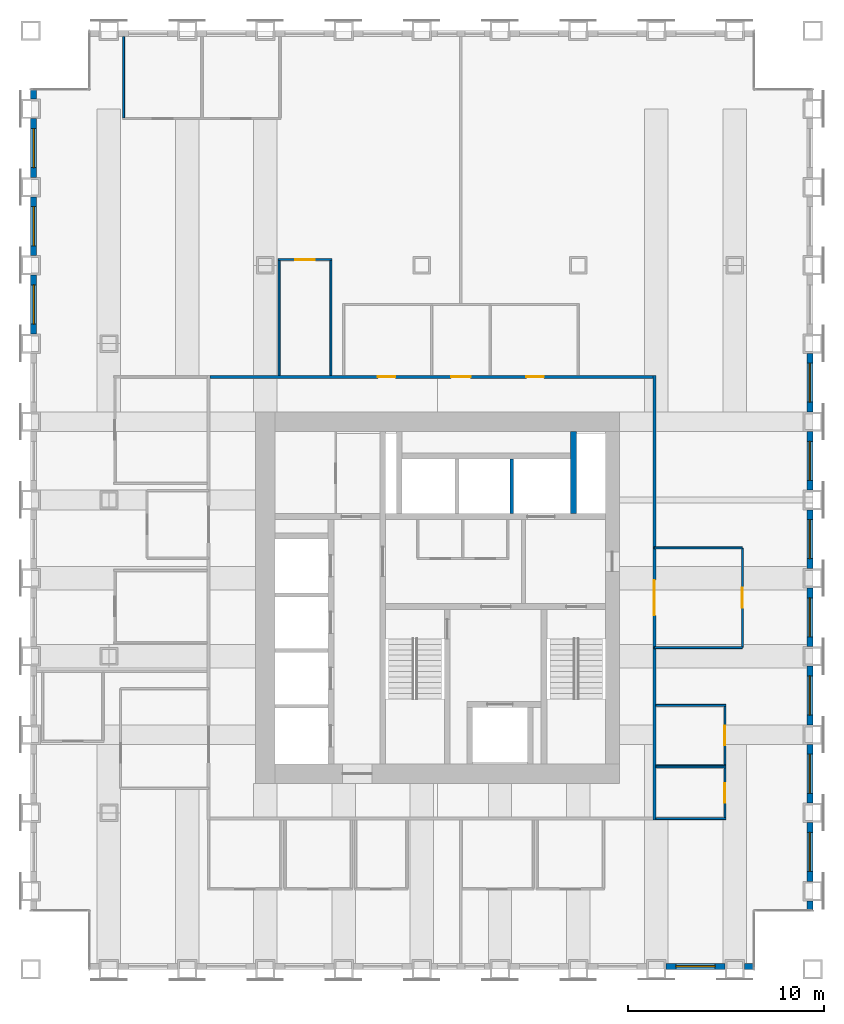
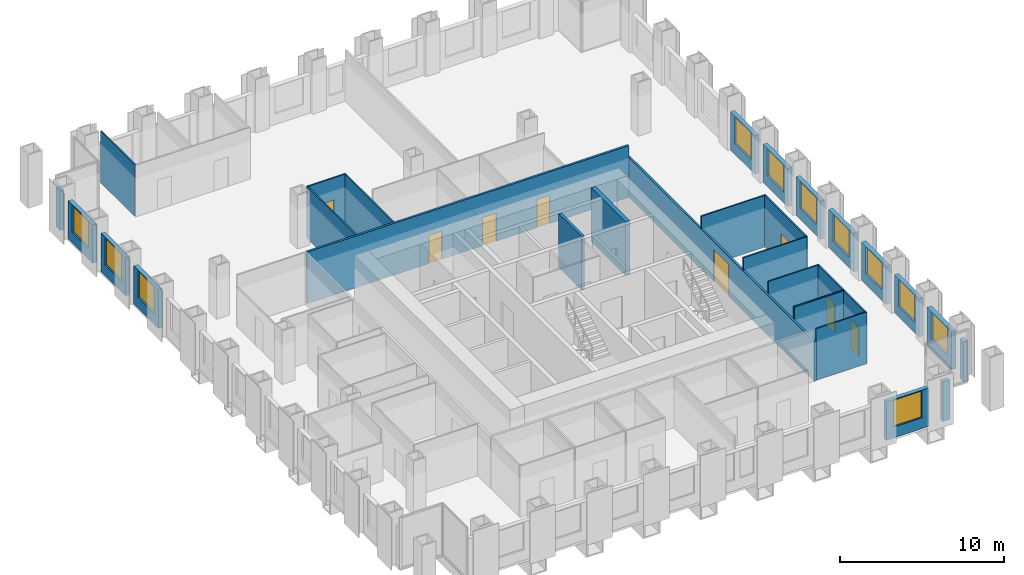
# One storey, part 10 of 13: 31 walls, 11 windows, 8 doors, 19 openings.
"""IFC4 building model written with IfcOpenShell, lengths in metres."""

from ifc_helpers import new_model, si_unit, direction, frame, frame_2d, origin, place, context, subcontext, project, spatial, rectangle, extrude, material, layer, layer_set, type_object, element, fill, save


model = new_model("IFC4")

# Units and contexts
model_context = context("Model", 3, precision=1e-05, world=origin(), true_north=direction((0.0, 1.0)))
body_context = subcontext(model_context, "Body", "Model", "MODEL_VIEW")
ifc_project = project(units=[si_unit("LENGTHUNIT", "METRE"), si_unit("AREAUNIT", "SQUARE_METRE"), si_unit("VOLUMEUNIT", "CUBIC_METRE"), si_unit("PLANEANGLEUNIT", "RADIAN"), si_unit("MASSUNIT", "GRAM", prefix="KILO")], contexts=[model_context])

# Site, building, storey
site_placement = place(None, origin())
site = spatial("IfcSite", under=ifc_project, at=site_placement, CompositionType="ELEMENT")
building_placement = place(site_placement, origin())
building = spatial("IfcBuilding", under=site, at=building_placement, Name="Rimbunsela Tower", CompositionType="ELEMENT")
storey_placement = place(building_placement, frame((0.0, 0.0, 175.800048828125)))
storey = spatial("IfcBuildingStorey", under=building, at=storey_placement, Name="L42", CompositionType="ELEMENT", Elevation=175.800048828125)

# Walls
ifc_material_1 = material(Name="Concrete fc' 80 MPa", Category="concrete")
ifc_layer_1 = layer(ifc_material_1, 0.300048828125)
ifc_layer_set_1 = layer_set([ifc_layer_1], Name="Core internal wall 300")
wall_type_1 = type_object("IfcWallType", Name="Core internal wall 300", PredefinedType="SHEAR", material=ifc_layer_set_1)
wall_1_placement = place(storey_placement, frame((33.75, 31.300048828125, -0.150146484375), z_axis=(0.0, 0.0, 1.0), x_axis=(0.0, 1.0, 0.0)))
element("IfcWall", 1, at=wall_1_placement, inside=storey, type_object=wall_type_1, Name="Riser wall", PredefinedType="SHEAR", context=body_context, shape_type="SweptSolid", body=[
    extrude(rectangle(XDim=4.199951171875, YDim=0.300048828125, at=frame_2d((2.10009765625, 0.0))), origin(), (0.0, 0.0, 1.0), 4.0),
])
ifc_material_2 = material(Name="Concrete blockwork", Category="masonry")
ifc_layer_2 = layer(ifc_material_2, 0.199951171875)
ifc_layer_set_2 = layer_set([ifc_layer_2], Name="Lift shaft wall 200")
wall_type_2 = type_object("IfcWallType", Name="Lift shaft wall 200", PredefinedType="SOLIDWALL", material=ifc_layer_set_2)
wall_2_placement = place(storey_placement, frame((30.60009765625, 31.300048828125, -0.150146484375), z_axis=(0.0, 0.0, 1.0), x_axis=(0.0, 1.0, 0.0)))
element("IfcWall", 2, at=wall_2_placement, inside=storey, type_object=wall_type_2, Name="Lift shaft separation", PredefinedType="SOLIDWALL", context=body_context, shape_type="SweptSolid", body=[
    extrude(rectangle(XDim=2.800048828125, YDim=0.199951171875, at=frame_2d((1.39990234375, 0.0))), origin(), (0.0, 0.0, 1.0), 4.0),
])
ifc_material_3 = material(Name="Gypsum board on steel studs", Category="steel")
ifc_layer_3 = layer(ifc_material_3, 0.10009765625)
ifc_layer_set_3 = layer_set([ifc_layer_3], Name="Office partition 100")
wall_type_3 = type_object("IfcWallType", Name="Office partition 100", PredefinedType="PARTITIONING", material=ifc_layer_set_3)
for number, where, z_axis, x_axis, name in (
    (3, (37.97509765625, 15.699951171875, 0.0), (0.0, 0.0, 1.0), (1.0, 0.0, 0.0), "Office partition"),
    (4, (37.97509765625, 18.35009765625, 0.0), (0.0, 0.0, 1.0), (1.0, 0.0, 0.0), "Office partition"),
    (5, (37.97509765625, 18.39990234375, 0.0), (0.0, 0.0, 1.0), (1.0, 0.0, 0.0), "Office partition"),
    (6, (37.97509765625, 21.5, 0.0), (0.0, 0.0, 1.0), (1.0, 0.0, 0.0), "Office partition"),
):
    element("IfcWall", number, at=place(storey_placement, frame(where, z_axis=z_axis, x_axis=x_axis)), inside=storey, type_object=wall_type_3, Name=name, PredefinedType="PARTITIONING", context=body_context, shape_type="SweptSolid", body=[
        extrude(rectangle(XDim=3.574951171875, YDim=0.10009765625, at=frame_2d((1.78759765625, 0.0))), origin(), (0.0, 0.0, 1.0), 3.849853515625),
    ])

# Wall, opening, door
wall_3_placement = place(storey_placement, frame((18.64990234375, 44.300048828125, 0.0), z_axis=(0.0, 0.0, 1.0), x_axis=(1.0, 0.0, 0.0)))
wall_3 = element("IfcWall", 7, at=wall_3_placement, inside=storey, type_object=wall_type_3, Name="Office partition", PredefinedType="PARTITIONING", context=body_context, shape_type="SweptSolid", body=[
    extrude(rectangle(XDim=2.75, YDim=0.10009765625, at=frame_2d((1.375, 0.0))), origin(), (0.0, 0.0, 1.0), 3.849853515625),
])
opening_1_placement = place(wall_3_placement, frame((0.875, 0.0, 0.0)))
opening_1 = element("IfcOpeningElement", 8, at=opening_1_placement, cuts=wall_3, Name="Opening D16", PredefinedType="OPENING", context=body_context, shape_type="SweptSolid", body=[
    extrude(rectangle(XDim=1.0, YDim=2.199951171875, at=frame_2d((0.5, 1.10009765625))), frame((0.0, 0.06005859375, 0.0), z_axis=(0.0, -1.0, 0.0), x_axis=(1.0, 0.0, 0.0)), (0.0, 0.0, 1.0), 0.1201171875),
])
ifc_material_4 = material(Name="Timber door", Category="wood")
door_type_1 = type_object("IfcDoorType", Name="Office door 1000", OperationType="SINGLE_SWING_LEFT", PredefinedType="DOOR", material=ifc_material_4)
door_1_placement = place(opening_1_placement, origin())
door_1 = element("IfcDoor", 9, at=door_1_placement, inside=storey, type_object=door_type_1, Name="Office door", OperationType="SINGLE_SWING_LEFT", OverallHeight=2.199951171875, OverallWidth=1.0, PredefinedType="DOOR", context=body_context, shape_type="SweptSolid", body=[
    extrude(rectangle(XDim=1.0, YDim=2.199951171875, at=frame_2d((0.5, 1.10009765625))), frame((0.0, 0.02490234375, 0.0), z_axis=(0.0, -1.0, 0.0), x_axis=(1.0, 0.0, 0.0)), (0.0, 0.0, 1.0), 0.050048828125),
])
fill(opening_1, door_1)

# Walls
wall_4_placement = place(storey_placement, frame((10.75, 51.550048828125, 0.0), z_axis=(0.0, 0.0, 1.0), x_axis=(0.0, 1.0, 0.0)))
element("IfcWall", 10, at=wall_4_placement, inside=storey, type_object=wall_type_3, Name="Office partition", PredefinedType="PARTITIONING", context=body_context, shape_type="SweptSolid", body=[
    extrude(rectangle(XDim=4.14990234375, YDim=0.10009765625, at=frame_2d((2.074951171875, 0.0))), origin(), (0.0, 0.0, 1.0), 3.849853515625),
])
for number, where, z_axis, x_axis, name in (
    (11, (18.699951171875, 38.375, 0.0), (0.0, 0.0, 1.0), (0.0, 1.0, 0.0), "Office partition"),
    (12, (21.35009765625, 38.375, 0.0), (0.0, 0.0, 1.0), (0.0, 1.0, 0.0), "Office partition"),
):
    element("IfcWall", number, at=place(storey_placement, frame(where, z_axis=z_axis, x_axis=x_axis)), inside=storey, type_object=wall_type_3, Name=name, PredefinedType="PARTITIONING", context=body_context, shape_type="SweptSolid", body=[
        extrude(rectangle(XDim=5.875, YDim=0.10009765625, at=frame_2d((2.9375, 0.0))), origin(), (0.0, 0.0, 1.0), 3.849853515625),
    ])

# Wall, opening, door
wall_5_placement = place(storey_placement, frame((41.5, 15.75, 0.0), z_axis=(0.0, 0.0, 1.0), x_axis=(0.0, 1.0, 0.0)))
wall_5 = element("IfcWall", 13, at=wall_5_placement, inside=storey, type_object=wall_type_3, Name="Office partition", PredefinedType="PARTITIONING", context=body_context, shape_type="SweptSolid", body=[
    extrude(rectangle(XDim=2.550048828125, YDim=0.10009765625, at=frame_2d((1.27490234375, 0.0))), origin(), (0.0, 0.0, 1.0), 3.849853515625),
])
opening_2_placement = place(wall_5_placement, frame((0.77490234375, 0.0, 0.0)))
opening_2 = element("IfcOpeningElement", 14, at=opening_2_placement, cuts=wall_5, Name="Opening D16", PredefinedType="OPENING", context=body_context, shape_type="SweptSolid", body=[
    extrude(rectangle(XDim=1.0, YDim=2.199951171875, at=frame_2d((0.5, 1.10009765625))), frame((0.0, 0.06005859375, 0.0), z_axis=(0.0, -1.0, 0.0), x_axis=(1.0, 0.0, 0.0)), (0.0, 0.0, 1.0), 0.1201171875),
])
door_2_placement = place(opening_2_placement, origin())
door_2 = element("IfcDoor", 15, at=door_2_placement, inside=storey, type_object=door_type_1, Name="Office door", OperationType="SINGLE_SWING_LEFT", OverallHeight=2.199951171875, OverallWidth=1.0, PredefinedType="DOOR", context=body_context, shape_type="SweptSolid", body=[
    extrude(rectangle(XDim=1.0, YDim=2.199951171875, at=frame_2d((0.5, 1.10009765625))), frame((0.0, 0.02490234375, 0.0), z_axis=(0.0, -1.0, 0.0), x_axis=(1.0, 0.0, 0.0)), (0.0, 0.0, 1.0), 0.050048828125),
])
fill(opening_2, door_2)

wall_6_placement = place(storey_placement, frame((41.5, 18.449951171875, 0.0), z_axis=(0.0, 0.0, 1.0), x_axis=(0.0, 1.0, 0.0)))
wall_6 = element("IfcWall", 16, at=wall_6_placement, inside=storey, type_object=wall_type_3, Name="Office partition", PredefinedType="PARTITIONING", context=body_context, shape_type="SweptSolid", body=[
    extrude(rectangle(XDim=3.0, YDim=0.10009765625, at=frame_2d((1.5, 0.0))), origin(), (0.0, 0.0, 1.0), 3.849853515625),
])
opening_3_placement = place(wall_6_placement, frame((1.0, 0.0, 0.0)))
opening_3 = element("IfcOpeningElement", 17, at=opening_3_placement, cuts=wall_6, Name="Opening D16", PredefinedType="OPENING", context=body_context, shape_type="SweptSolid", body=[
    extrude(rectangle(XDim=1.0, YDim=2.199951171875, at=frame_2d((0.5, 1.10009765625))), frame((0.0, 0.06005859375, 0.0), z_axis=(0.0, -1.0, 0.0), x_axis=(1.0, 0.0, 0.0)), (0.0, 0.0, 1.0), 0.1201171875),
])
door_3_placement = place(opening_3_placement, origin())
door_3 = element("IfcDoor", 18, at=door_3_placement, inside=storey, type_object=door_type_1, Name="Office door", OperationType="SINGLE_SWING_LEFT", OverallHeight=2.199951171875, OverallWidth=1.0, PredefinedType="DOOR", context=body_context, shape_type="SweptSolid", body=[
    extrude(rectangle(XDim=1.0, YDim=2.199951171875, at=frame_2d((0.5, 1.10009765625))), frame((0.0, 0.02490234375, 0.0), z_axis=(0.0, -1.0, 0.0), x_axis=(1.0, 0.0, 0.0)), (0.0, 0.0, 1.0), 0.050048828125),
])
fill(opening_3, door_3)

# Wall
wall_7_placement = place(storey_placement, frame((37.89990234375, 24.449951171875, 0.0), z_axis=(0.0, 0.0, 1.0), x_axis=(1.0, 0.0, 0.0)))
element("IfcWall", 19, at=wall_7_placement, inside=storey, type_object=wall_type_3, Name="Office partition", PredefinedType="PARTITIONING", context=body_context, shape_type="SweptSolid", body=[
    extrude(rectangle(XDim=4.5, YDim=0.10009765625, at=frame_2d((2.25, 0.0))), origin(), (0.0, 0.0, 1.0), 3.849853515625),
])

# Wall, opening, door
wall_8_placement = place(storey_placement, frame((42.39990234375, 24.449951171875, 0.0), z_axis=(0.0, 0.0, 1.0), x_axis=(0.0, 1.0, 0.0)))
wall_8 = element("IfcWall", 20, at=wall_8_placement, inside=storey, type_object=wall_type_3, Name="Office partition", PredefinedType="PARTITIONING", context=body_context, shape_type="SweptSolid", body=[
    extrude(rectangle(XDim=5.10009765625, YDim=0.10009765625, at=frame_2d((2.550048828125, 0.0))), origin(), (0.0, 0.0, 1.0), 3.849853515625),
])
opening_4_placement = place(wall_8_placement, frame((2.050048828125, 0.0, 0.0)))
opening_4 = element("IfcOpeningElement", 21, at=opening_4_placement, cuts=wall_8, Name="Opening D17", PredefinedType="OPENING", context=body_context, shape_type="SweptSolid", body=[
    extrude(rectangle(XDim=1.0, YDim=2.199951171875, at=frame_2d((0.5, 1.10009765625))), frame((0.0, 0.06005859375, 0.0), z_axis=(0.0, -1.0, 0.0), x_axis=(1.0, 0.0, 0.0)), (0.0, 0.0, 1.0), 0.1201171875),
])
ifc_material_5 = material(Name="Glazed aluminium door", Category="aluminium")
door_type_2 = type_object("IfcDoorType", Name="Meeting room door 1000 glazed", OperationType="SINGLE_SWING_RIGHT", PredefinedType="DOOR", material=ifc_material_5)
door_4_placement = place(opening_4_placement, origin())
door_4 = element("IfcDoor", 22, at=door_4_placement, inside=storey, type_object=door_type_2, Name="Reception door", OperationType="SINGLE_SWING_RIGHT", OverallHeight=2.199951171875, OverallWidth=1.0, PredefinedType="DOOR", context=body_context, shape_type="SweptSolid", body=[
    extrude(rectangle(XDim=1.0, YDim=2.199951171875, at=frame_2d((0.5, 1.10009765625))), frame((0.0, 0.02490234375, 0.0), z_axis=(0.0, -1.0, 0.0), x_axis=(1.0, 0.0, 0.0)), (0.0, 0.0, 1.0), 0.050048828125),
])
fill(opening_4, door_4)

# Wall
wall_9_placement = place(storey_placement, frame((42.39990234375, 29.550048828125, 0.0), z_axis=(0.0, 0.0, 1.0), x_axis=(-1.0, 0.0, 0.0)))
element("IfcWall", 23, at=wall_9_placement, inside=storey, type_object=wall_type_3, Name="Office partition", PredefinedType="PARTITIONING", context=body_context, shape_type="SweptSolid", body=[
    extrude(rectangle(XDim=4.5, YDim=0.10009765625, at=frame_2d((2.25, 0.0))), origin(), (0.0, 0.0, 1.0), 3.849853515625),
])

# Wall, opening, window
ifc_material_6 = material(Name="Precast concrete fc' 35 MPa", Category="concrete")
ifc_layer_4 = layer(ifc_material_6, 0.300048828125)
ifc_layer_set_4 = layer_set([ifc_layer_4], Name="Precast concrete fc' 35 MPa")
wall_type_4 = type_object("IfcWallType", Name="Precast facade panel 300", PredefinedType="ELEMENTEDWALL", material=ifc_layer_set_4)
wall_10_placement = place(storey_placement, frame((38.5, 8.14990234375, 0.0), z_axis=(0.0, 0.0, 1.0), x_axis=(1.0, 0.0, 0.0)))
wall_10 = element("IfcWall", 24, at=wall_10_placement, inside=storey, type_object=wall_type_4, Name="Facade panel S L42", PredefinedType="ELEMENTEDWALL", context=body_context, shape_type="SweptSolid", body=[
    extrude(rectangle(XDim=3.0, YDim=0.300048828125, at=frame_2d((1.5, 0.0))), origin(), (0.0, 0.0, 1.0), 2.849853515625),
])
opening_5_placement = place(wall_10_placement, frame((0.5, 0.0, 0.800048828125)))
opening_5 = element("IfcOpeningElement", 25, at=opening_5_placement, cuts=wall_10, Name="Opening W1", PredefinedType="OPENING", context=body_context, shape_type="SweptSolid", body=[
    extrude(rectangle(XDim=2.0, YDim=2.0, at=frame_2d((1.0, 1.0))), frame((0.0, 0.159912109375, 0.0), z_axis=(0.0, -1.0, 0.0), x_axis=(1.0, 0.0, 0.0)), (0.0, 0.0, 1.0), 0.320068359375),
])
ifc_material_7 = material(Name="Clear glass in aluminium frame", Category="aluminium")
window_type = type_object("IfcWindowType", Name="Window W1 2000x2000", PartitioningType="DOUBLE_PANEL_VERTICAL", PredefinedType="WINDOW", material=ifc_material_7)
window_1_placement = place(opening_5_placement, origin())
window_1 = element("IfcWindow", 26, at=window_1_placement, inside=storey, type_object=window_type, Name="Window L42", OverallHeight=2.0, OverallWidth=2.0, PartitioningType="SINGLE_PANEL", PredefinedType="WINDOW", context=body_context, shape_type="SweptSolid", body=[
    extrude(rectangle(XDim=2.0, YDim=2.0, at=frame_2d((1.0, 1.0))), frame((0.0, 0.030029296875, 0.0), z_axis=(0.0, -1.0, 0.0), x_axis=(1.0, 0.0, 0.0)), (0.0, 0.0, 1.0), 0.06005859375),
])
fill(opening_5, window_1)

# Walls
for number, where, z_axis, x_axis, name in (
    (27, (42.5, 8.14990234375, 0.0), (0.0, 0.0, 1.0), (1.0, 0.0, 0.0), "Facade panel S L42"),
    (28, (45.85009765625, 11.030029296875, 0.0), (0.0, 0.0, 1.0), (0.0, 1.0, 0.0), "Facade panel E L42"),
):
    element("IfcWall", number, at=place(storey_placement, frame(where, z_axis=z_axis, x_axis=x_axis)), inside=storey, type_object=wall_type_4, Name=name, PredefinedType="ELEMENTEDWALL", context=body_context, shape_type="SweptSolid", body=[
        extrude(rectangle(XDim=0.469970703125, YDim=0.300048828125, at=frame_2d((0.23486328125, 0.0))), origin(), (0.0, 0.0, 1.0), 2.949951171875),
    ])

# Wall, opening, window
wall_11_placement = place(storey_placement, frame((45.85009765625, 12.5, 0.0), z_axis=(0.0, 0.0, 1.0), x_axis=(0.0, 1.0, 0.0)))
wall_11 = element("IfcWall", 29, at=wall_11_placement, inside=storey, type_object=wall_type_4, Name="Facade panel E L42", PredefinedType="ELEMENTEDWALL", context=body_context, shape_type="SweptSolid", body=[
    extrude(rectangle(XDim=3.0, YDim=0.300048828125, at=frame_2d((1.5, 0.0))), origin(), (0.0, 0.0, 1.0), 2.849853515625),
])
opening_6_placement = place(wall_11_placement, frame((0.5, 0.0, 0.800048828125)))
opening_6 = element("IfcOpeningElement", 30, at=opening_6_placement, cuts=wall_11, Name="Opening W1", PredefinedType="OPENING", context=body_context, shape_type="SweptSolid", body=[
    extrude(rectangle(XDim=2.0, YDim=2.0, at=frame_2d((1.0, 1.0))), frame((0.0, 0.159912109375, 0.0), z_axis=(0.0, -1.0, 0.0), x_axis=(1.0, 0.0, 0.0)), (0.0, 0.0, 1.0), 0.320068359375),
])
window_2_placement = place(opening_6_placement, origin())
window_2 = element("IfcWindow", 31, at=window_2_placement, inside=storey, type_object=window_type, Name="Window L42", OverallHeight=2.0, OverallWidth=2.0, PartitioningType="SINGLE_PANEL", PredefinedType="WINDOW", context=body_context, shape_type="SweptSolid", body=[
    extrude(rectangle(XDim=2.0, YDim=2.0, at=frame_2d((1.0, 1.0))), frame((0.0, 0.030029296875, 0.0), z_axis=(0.0, -1.0, 0.0), x_axis=(1.0, 0.0, 0.0)), (0.0, 0.0, 1.0), 0.06005859375),
])
fill(opening_6, window_2)

wall_12_placement = place(storey_placement, frame((45.85009765625, 16.5, 0.0), z_axis=(0.0, 0.0, 1.0), x_axis=(0.0, 1.0, 0.0)))
wall_12 = element("IfcWall", 32, at=wall_12_placement, inside=storey, type_object=wall_type_4, Name="Facade panel E L42", PredefinedType="ELEMENTEDWALL", context=body_context, shape_type="SweptSolid", body=[
    extrude(rectangle(XDim=3.0, YDim=0.300048828125, at=frame_2d((1.5, 0.0))), origin(), (0.0, 0.0, 1.0), 2.849853515625),
])
opening_7_placement = place(wall_12_placement, frame((0.5, 0.0, 0.800048828125)))
opening_7 = element("IfcOpeningElement", 33, at=opening_7_placement, cuts=wall_12, Name="Opening W1", PredefinedType="OPENING", context=body_context, shape_type="SweptSolid", body=[
    extrude(rectangle(XDim=2.0, YDim=2.0, at=frame_2d((1.0, 1.0))), frame((0.0, 0.159912109375, 0.0), z_axis=(0.0, -1.0, 0.0), x_axis=(1.0, 0.0, 0.0)), (0.0, 0.0, 1.0), 0.320068359375),
])
window_3_placement = place(opening_7_placement, origin())
window_3 = element("IfcWindow", 34, at=window_3_placement, inside=storey, type_object=window_type, Name="Window L42", OverallHeight=2.0, OverallWidth=2.0, PartitioningType="SINGLE_PANEL", PredefinedType="WINDOW", context=body_context, shape_type="SweptSolid", body=[
    extrude(rectangle(XDim=2.0, YDim=2.0, at=frame_2d((1.0, 1.0))), frame((0.0, 0.030029296875, 0.0), z_axis=(0.0, -1.0, 0.0), x_axis=(1.0, 0.0, 0.0)), (0.0, 0.0, 1.0), 0.06005859375),
])
fill(opening_7, window_3)

wall_13_placement = place(storey_placement, frame((45.85009765625, 20.5, 0.0), z_axis=(0.0, 0.0, 1.0), x_axis=(0.0, 1.0, 0.0)))
wall_13 = element("IfcWall", 35, at=wall_13_placement, inside=storey, type_object=wall_type_4, Name="Facade panel E L42", PredefinedType="ELEMENTEDWALL", context=body_context, shape_type="SweptSolid", body=[
    extrude(rectangle(XDim=3.0, YDim=0.300048828125, at=frame_2d((1.5, 0.0))), origin(), (0.0, 0.0, 1.0), 2.849853515625),
])
opening_8_placement = place(wall_13_placement, frame((0.5, 0.0, 0.800048828125)))
opening_8 = element("IfcOpeningElement", 36, at=opening_8_placement, cuts=wall_13, Name="Opening W1", PredefinedType="OPENING", context=body_context, shape_type="SweptSolid", body=[
    extrude(rectangle(XDim=2.0, YDim=2.0, at=frame_2d((1.0, 1.0))), frame((0.0, 0.159912109375, 0.0), z_axis=(0.0, -1.0, 0.0), x_axis=(1.0, 0.0, 0.0)), (0.0, 0.0, 1.0), 0.320068359375),
])
window_4_placement = place(opening_8_placement, origin())
window_4 = element("IfcWindow", 37, at=window_4_placement, inside=storey, type_object=window_type, Name="Window L42", OverallHeight=2.0, OverallWidth=2.0, PartitioningType="SINGLE_PANEL", PredefinedType="WINDOW", context=body_context, shape_type="SweptSolid", body=[
    extrude(rectangle(XDim=2.0, YDim=2.0, at=frame_2d((1.0, 1.0))), frame((0.0, 0.030029296875, 0.0), z_axis=(0.0, -1.0, 0.0), x_axis=(1.0, 0.0, 0.0)), (0.0, 0.0, 1.0), 0.06005859375),
])
fill(opening_8, window_4)

wall_14_placement = place(storey_placement, frame((45.85009765625, 24.5, 0.0), z_axis=(0.0, 0.0, 1.0), x_axis=(0.0, 1.0, 0.0)))
wall_14 = element("IfcWall", 38, at=wall_14_placement, inside=storey, type_object=wall_type_4, Name="Facade panel E L42", PredefinedType="ELEMENTEDWALL", context=body_context, shape_type="SweptSolid", body=[
    extrude(rectangle(XDim=3.0, YDim=0.300048828125, at=frame_2d((1.5, 0.0))), origin(), (0.0, 0.0, 1.0), 2.849853515625),
])
opening_9_placement = place(wall_14_placement, frame((0.5, 0.0, 0.800048828125)))
opening_9 = element("IfcOpeningElement", 39, at=opening_9_placement, cuts=wall_14, Name="Opening W1", PredefinedType="OPENING", context=body_context, shape_type="SweptSolid", body=[
    extrude(rectangle(XDim=2.0, YDim=2.0, at=frame_2d((1.0, 1.0))), frame((0.0, 0.159912109375, 0.0), z_axis=(0.0, -1.0, 0.0), x_axis=(1.0, 0.0, 0.0)), (0.0, 0.0, 1.0), 0.320068359375),
])
window_5_placement = place(opening_9_placement, origin())
window_5 = element("IfcWindow", 40, at=window_5_placement, inside=storey, type_object=window_type, Name="Window L42", OverallHeight=2.0, OverallWidth=2.0, PartitioningType="SINGLE_PANEL", PredefinedType="WINDOW", context=body_context, shape_type="SweptSolid", body=[
    extrude(rectangle(XDim=2.0, YDim=2.0, at=frame_2d((1.0, 1.0))), frame((0.0, 0.030029296875, 0.0), z_axis=(0.0, -1.0, 0.0), x_axis=(1.0, 0.0, 0.0)), (0.0, 0.0, 1.0), 0.06005859375),
])
fill(opening_9, window_5)

wall_15_placement = place(storey_placement, frame((45.85009765625, 28.5, 0.0), z_axis=(0.0, 0.0, 1.0), x_axis=(0.0, 1.0, 0.0)))
wall_15 = element("IfcWall", 41, at=wall_15_placement, inside=storey, type_object=wall_type_4, Name="Facade panel E L42", PredefinedType="ELEMENTEDWALL", context=body_context, shape_type="SweptSolid", body=[
    extrude(rectangle(XDim=3.0, YDim=0.300048828125, at=frame_2d((1.5, 0.0))), origin(), (0.0, 0.0, 1.0), 2.849853515625),
])
opening_10_placement = place(wall_15_placement, frame((0.5, 0.0, 0.800048828125)))
opening_10 = element("IfcOpeningElement", 42, at=opening_10_placement, cuts=wall_15, Name="Opening W1", PredefinedType="OPENING", context=body_context, shape_type="SweptSolid", body=[
    extrude(rectangle(XDim=2.0, YDim=2.0, at=frame_2d((1.0, 1.0))), frame((0.0, 0.159912109375, 0.0), z_axis=(0.0, -1.0, 0.0), x_axis=(1.0, 0.0, 0.0)), (0.0, 0.0, 1.0), 0.320068359375),
])
window_6_placement = place(opening_10_placement, origin())
window_6 = element("IfcWindow", 43, at=window_6_placement, inside=storey, type_object=window_type, Name="Window L42", OverallHeight=2.0, OverallWidth=2.0, PartitioningType="SINGLE_PANEL", PredefinedType="WINDOW", context=body_context, shape_type="SweptSolid", body=[
    extrude(rectangle(XDim=2.0, YDim=2.0, at=frame_2d((1.0, 1.0))), frame((0.0, 0.030029296875, 0.0), z_axis=(0.0, -1.0, 0.0), x_axis=(1.0, 0.0, 0.0)), (0.0, 0.0, 1.0), 0.06005859375),
])
fill(opening_10, window_6)

wall_16_placement = place(storey_placement, frame((45.85009765625, 32.5, 0.0), z_axis=(0.0, 0.0, 1.0), x_axis=(0.0, 1.0, 0.0)))
wall_16 = element("IfcWall", 44, at=wall_16_placement, inside=storey, type_object=wall_type_4, Name="Facade panel E L42", PredefinedType="ELEMENTEDWALL", context=body_context, shape_type="SweptSolid", body=[
    extrude(rectangle(XDim=3.0, YDim=0.300048828125, at=frame_2d((1.5, 0.0))), origin(), (0.0, 0.0, 1.0), 2.849853515625),
])
opening_11_placement = place(wall_16_placement, frame((0.5, 0.0, 0.800048828125)))
opening_11 = element("IfcOpeningElement", 45, at=opening_11_placement, cuts=wall_16, Name="Opening W1", PredefinedType="OPENING", context=body_context, shape_type="SweptSolid", body=[
    extrude(rectangle(XDim=2.0, YDim=2.0, at=frame_2d((1.0, 1.0))), frame((0.0, 0.159912109375, 0.0), z_axis=(0.0, -1.0, 0.0), x_axis=(1.0, 0.0, 0.0)), (0.0, 0.0, 1.0), 0.320068359375),
])
window_7_placement = place(opening_11_placement, origin())
window_7 = element("IfcWindow", 46, at=window_7_placement, inside=storey, type_object=window_type, Name="Window L42", OverallHeight=2.0, OverallWidth=2.0, PartitioningType="SINGLE_PANEL", PredefinedType="WINDOW", context=body_context, shape_type="SweptSolid", body=[
    extrude(rectangle(XDim=2.0, YDim=2.0, at=frame_2d((1.0, 1.0))), frame((0.0, 0.030029296875, 0.0), z_axis=(0.0, -1.0, 0.0), x_axis=(1.0, 0.0, 0.0)), (0.0, 0.0, 1.0), 0.06005859375),
])
fill(opening_11, window_7)

wall_17_placement = place(storey_placement, frame((45.85009765625, 36.5, 0.0), z_axis=(0.0, 0.0, 1.0), x_axis=(0.0, 1.0, 0.0)))
wall_17 = element("IfcWall", 47, at=wall_17_placement, inside=storey, type_object=wall_type_4, Name="Facade panel E L42", PredefinedType="ELEMENTEDWALL", context=body_context, shape_type="SweptSolid", body=[
    extrude(rectangle(XDim=3.0, YDim=0.300048828125, at=frame_2d((1.5, 0.0))), origin(), (0.0, 0.0, 1.0), 2.849853515625),
])
opening_12_placement = place(wall_17_placement, frame((0.5, 0.0, 0.800048828125)))
opening_12 = element("IfcOpeningElement", 48, at=opening_12_placement, cuts=wall_17, Name="Opening W1", PredefinedType="OPENING", context=body_context, shape_type="SweptSolid", body=[
    extrude(rectangle(XDim=2.0, YDim=2.0, at=frame_2d((1.0, 1.0))), frame((0.0, 0.159912109375, 0.0), z_axis=(0.0, -1.0, 0.0), x_axis=(1.0, 0.0, 0.0)), (0.0, 0.0, 1.0), 0.320068359375),
])
window_8_placement = place(opening_12_placement, origin())
window_8 = element("IfcWindow", 49, at=window_8_placement, inside=storey, type_object=window_type, Name="Window L42", OverallHeight=2.0, OverallWidth=2.0, PartitioningType="SINGLE_PANEL", PredefinedType="WINDOW", context=body_context, shape_type="SweptSolid", body=[
    extrude(rectangle(XDim=2.0, YDim=2.0, at=frame_2d((1.0, 1.0))), frame((0.0, 0.030029296875, 0.0), z_axis=(0.0, -1.0, 0.0), x_axis=(1.0, 0.0, 0.0)), (0.0, 0.0, 1.0), 0.06005859375),
])
fill(opening_12, window_8)

wall_18_placement = place(storey_placement, frame((6.14990234375, 43.5, 0.0), z_axis=(0.0, 0.0, 1.0), x_axis=(0.0, -1.0, 0.0)))
wall_18 = element("IfcWall", 50, at=wall_18_placement, inside=storey, type_object=wall_type_4, Name="Facade panel W L42", PredefinedType="ELEMENTEDWALL", context=body_context, shape_type="SweptSolid", body=[
    extrude(rectangle(XDim=3.0, YDim=0.300048828125, at=frame_2d((1.5, 0.0))), origin(), (0.0, 0.0, 1.0), 2.849853515625),
])
opening_13_placement = place(wall_18_placement, frame((0.5, 0.0, 0.800048828125)))
opening_13 = element("IfcOpeningElement", 51, at=opening_13_placement, cuts=wall_18, Name="Opening W1", PredefinedType="OPENING", context=body_context, shape_type="SweptSolid", body=[
    extrude(rectangle(XDim=2.0, YDim=2.0, at=frame_2d((1.0, 1.0))), frame((0.0, 0.159912109375, 0.0), z_axis=(0.0, -1.0, 0.0), x_axis=(1.0, 0.0, 0.0)), (0.0, 0.0, 1.0), 0.320068359375),
])
window_9_placement = place(opening_13_placement, origin())
window_9 = element("IfcWindow", 52, at=window_9_placement, inside=storey, type_object=window_type, Name="Window L42", OverallHeight=2.0, OverallWidth=2.0, PartitioningType="SINGLE_PANEL", PredefinedType="WINDOW", context=body_context, shape_type="SweptSolid", body=[
    extrude(rectangle(XDim=2.0, YDim=2.0, at=frame_2d((1.0, 1.0))), frame((0.0, 0.030029296875, 0.0), z_axis=(0.0, -1.0, 0.0), x_axis=(1.0, 0.0, 0.0)), (0.0, 0.0, 1.0), 0.06005859375),
])
fill(opening_13, window_9)

wall_19_placement = place(storey_placement, frame((6.14990234375, 47.5, 0.0), z_axis=(0.0, 0.0, 1.0), x_axis=(0.0, -1.0, 0.0)))
wall_19 = element("IfcWall", 53, at=wall_19_placement, inside=storey, type_object=wall_type_4, Name="Facade panel W L42", PredefinedType="ELEMENTEDWALL", context=body_context, shape_type="SweptSolid", body=[
    extrude(rectangle(XDim=3.0, YDim=0.300048828125, at=frame_2d((1.5, 0.0))), origin(), (0.0, 0.0, 1.0), 2.849853515625),
])
opening_14_placement = place(wall_19_placement, frame((0.5, 0.0, 0.800048828125)))
opening_14 = element("IfcOpeningElement", 54, at=opening_14_placement, cuts=wall_19, Name="Opening W1", PredefinedType="OPENING", context=body_context, shape_type="SweptSolid", body=[
    extrude(rectangle(XDim=2.0, YDim=2.0, at=frame_2d((1.0, 1.0))), frame((0.0, 0.159912109375, 0.0), z_axis=(0.0, -1.0, 0.0), x_axis=(1.0, 0.0, 0.0)), (0.0, 0.0, 1.0), 0.320068359375),
])
window_10_placement = place(opening_14_placement, origin())
window_10 = element("IfcWindow", 55, at=window_10_placement, inside=storey, type_object=window_type, Name="Window L42", OverallHeight=2.0, OverallWidth=2.0, PartitioningType="SINGLE_PANEL", PredefinedType="WINDOW", context=body_context, shape_type="SweptSolid", body=[
    extrude(rectangle(XDim=2.0, YDim=2.0, at=frame_2d((1.0, 1.0))), frame((0.0, 0.030029296875, 0.0), z_axis=(0.0, -1.0, 0.0), x_axis=(1.0, 0.0, 0.0)), (0.0, 0.0, 1.0), 0.06005859375),
])
fill(opening_14, window_10)

wall_20_placement = place(storey_placement, frame((6.14990234375, 51.5, 0.0), z_axis=(0.0, 0.0, 1.0), x_axis=(0.0, -1.0, 0.0)))
wall_20 = element("IfcWall", 56, at=wall_20_placement, inside=storey, type_object=wall_type_4, Name="Facade panel W L42", PredefinedType="ELEMENTEDWALL", context=body_context, shape_type="SweptSolid", body=[
    extrude(rectangle(XDim=3.0, YDim=0.300048828125, at=frame_2d((1.5, 0.0))), origin(), (0.0, 0.0, 1.0), 2.849853515625),
])
opening_15_placement = place(wall_20_placement, frame((0.5, 0.0, 0.800048828125)))
opening_15 = element("IfcOpeningElement", 57, at=opening_15_placement, cuts=wall_20, Name="Opening W1", PredefinedType="OPENING", context=body_context, shape_type="SweptSolid", body=[
    extrude(rectangle(XDim=2.0, YDim=2.0, at=frame_2d((1.0, 1.0))), frame((0.0, 0.159912109375, 0.0), z_axis=(0.0, -1.0, 0.0), x_axis=(1.0, 0.0, 0.0)), (0.0, 0.0, 1.0), 0.320068359375),
])
window_11_placement = place(opening_15_placement, origin())
window_11 = element("IfcWindow", 58, at=window_11_placement, inside=storey, type_object=window_type, Name="Window L42", OverallHeight=2.0, OverallWidth=2.0, PartitioningType="SINGLE_PANEL", PredefinedType="WINDOW", context=body_context, shape_type="SweptSolid", body=[
    extrude(rectangle(XDim=2.0, YDim=2.0, at=frame_2d((1.0, 1.0))), frame((0.0, 0.030029296875, 0.0), z_axis=(0.0, -1.0, 0.0), x_axis=(1.0, 0.0, 0.0)), (0.0, 0.0, 1.0), 0.06005859375),
])
fill(opening_15, window_11)

# Wall
wall_21_placement = place(storey_placement, frame((6.14990234375, 52.969970703125, 0.0), z_axis=(0.0, 0.0, 1.0), x_axis=(0.0, -1.0, 0.0)))
element("IfcWall", 59, at=wall_21_placement, inside=storey, type_object=wall_type_4, Name="Facade panel W L42", PredefinedType="ELEMENTEDWALL", context=body_context, shape_type="SweptSolid", body=[
    extrude(rectangle(XDim=0.469970703125, YDim=0.300048828125, at=frame_2d((0.23486328125, 0.0))), origin(), (0.0, 0.0, 1.0), 2.949951171875),
])

# Wall, opening, door
ifc_material_8 = material(Name="Fire-rated gypsum board on steel studs, EI 60", Category="steel")
ifc_layer_5 = layer(ifc_material_8, 0.14990234375)
ifc_layer_set_5 = layer_set([ifc_layer_5], Name="Rated corridor wall 150")
wall_type_5 = type_object("IfcWallType", Name="Rated corridor wall 150", PredefinedType="PARTITIONING", material=ifc_layer_set_5)
wall_22_placement = place(storey_placement, frame((37.89990234375, 15.625, 0.0), z_axis=(0.0, 0.0, 1.0), x_axis=(0.0, 1.0, 0.0)))
wall_22 = element("IfcWall", 60, at=wall_22_placement, inside=storey, type_object=wall_type_5, Name="Corridor wall east", PredefinedType="PARTITIONING", context=body_context, shape_type="SweptSolid", body=[
    extrude(rectangle(XDim=22.75, YDim=0.14990234375, at=frame_2d((11.375, 0.0))), origin(), (0.0, 0.0, 1.0), 2.949951171875),
])
opening_16_placement = place(wall_22_placement, frame((10.47509765625, 0.0, 0.0)))
opening_16 = element("IfcOpeningElement", 61, at=opening_16_placement, cuts=wall_22, Name="Opening D09", PredefinedType="OPENING", context=body_context, shape_type="SweptSolid", body=[
    extrude(rectangle(XDim=1.800048828125, YDim=2.39990234375, at=frame_2d((0.89990234375, 1.199951171875))), frame((0.0, 0.0849609375, 0.0), z_axis=(0.0, -1.0, 0.0), x_axis=(1.0, 0.0, 0.0)), (0.0, 0.0, 1.0), 0.169921875),
])
ifc_material_9 = material(Name="Glazed aluminium door, fire rated", Category="aluminium")
door_type_3 = type_object("IfcDoorType", Name="Tenancy door 1800 glazed", OperationType="DOUBLE_DOOR_DOUBLE_SWING", PredefinedType="DOOR", material=ifc_material_9)
door_5_placement = place(opening_16_placement, origin())
door_5 = element("IfcDoor", 62, at=door_5_placement, inside=storey, type_object=door_type_3, Name="Tenancy door", OperationType="DOUBLE_DOOR_DOUBLE_SWING", OverallHeight=2.39990234375, OverallWidth=1.800048828125, PredefinedType="DOOR", context=body_context, shape_type="SweptSolid", body=[
    extrude(rectangle(XDim=1.800048828125, YDim=2.39990234375, at=frame_2d((0.89990234375, 1.199951171875))), frame((0.0, 0.02490234375, 0.0), z_axis=(0.0, -1.0, 0.0), x_axis=(1.0, 0.0, 0.0)), (0.0, 0.0, 1.0), 0.050048828125),
])
fill(opening_16, door_5)

# Wall, openings, doors
wall_23_placement = place(storey_placement, frame((15.175048828125, 38.300048828125, 0.0), z_axis=(0.0, 0.0, 1.0), x_axis=(1.0, 0.0, 0.0)))
wall_23 = element("IfcWall", 63, at=wall_23_placement, inside=storey, type_object=wall_type_5, Name="Corridor wall north", PredefinedType="PARTITIONING", context=body_context, shape_type="SweptSolid", body=[
    extrude(rectangle(XDim=22.64990234375, YDim=0.14990234375, at=frame_2d((11.324951171875, 0.0))), origin(), (0.0, 0.0, 1.0), 3.849853515625),
])
opening_17_placement = place(wall_23_placement, frame((8.574951171875, 0.0, 0.0)))
opening_17 = element("IfcOpeningElement", 64, at=opening_17_placement, cuts=wall_23, Name="Opening D04", PredefinedType="OPENING", context=body_context, shape_type="SweptSolid", body=[
    extrude(rectangle(XDim=0.89990234375, YDim=2.10009765625, at=frame_2d((0.449951171875, 1.050048828125))), frame((0.0, 0.0849609375, 0.0), z_axis=(0.0, -1.0, 0.0), x_axis=(1.0, 0.0, 0.0)), (0.0, 0.0, 1.0), 0.169921875),
])
opening_18_placement = place(wall_23_placement, frame((12.324951171875, 0.0, 0.0)))
opening_18 = element("IfcOpeningElement", 65, at=opening_18_placement, cuts=wall_23, Name="Opening D05", PredefinedType="OPENING", context=body_context, shape_type="SweptSolid", body=[
    extrude(rectangle(XDim=1.0, YDim=2.10009765625, at=frame_2d((0.5, 1.050048828125))), frame((0.0, 0.0849609375, 0.0), z_axis=(0.0, -1.0, 0.0), x_axis=(1.0, 0.0, 0.0)), (0.0, 0.0, 1.0), 0.169921875),
])
opening_19_placement = place(wall_23_placement, frame((16.175048828125, 0.0, 0.0)))
opening_19 = element("IfcOpeningElement", 66, at=opening_19_placement, cuts=wall_23, Name="Opening D04", PredefinedType="OPENING", context=body_context, shape_type="SweptSolid", body=[
    extrude(rectangle(XDim=0.89990234375, YDim=2.10009765625, at=frame_2d((0.449951171875, 1.050048828125))), frame((0.0, 0.0849609375, 0.0), z_axis=(0.0, -1.0, 0.0), x_axis=(1.0, 0.0, 0.0)), (0.0, 0.0, 1.0), 0.169921875),
])
ifc_material_10 = material(Name="Timber door", Category="wood")
door_type_4 = type_object("IfcDoorType", Name="Accessible WC door 1000", OperationType="SLIDING_TO_LEFT", PredefinedType="DOOR", material=ifc_material_10)
door_6_placement = place(opening_18_placement, origin())
door_6 = element("IfcDoor", 67, at=door_6_placement, inside=storey, type_object=door_type_4, Name="Accessible WC door", OperationType="SLIDING_TO_LEFT", OverallHeight=2.10009765625, OverallWidth=1.0, PredefinedType="DOOR", context=body_context, shape_type="SweptSolid", body=[
    extrude(rectangle(XDim=1.0, YDim=2.10009765625, at=frame_2d((0.5, 1.050048828125))), frame((0.0, 0.02490234375, 0.0), z_axis=(0.0, -1.0, 0.0), x_axis=(1.0, 0.0, 0.0)), (0.0, 0.0, 1.0), 0.050048828125),
])
fill(opening_18, door_6)
ifc_material_11 = material(Name="Timber door", Category="wood")
door_type_5 = type_object("IfcDoorType", Name="Toilet door 900", OperationType="SINGLE_SWING_LEFT", PredefinedType="DOOR", material=ifc_material_11)
door_7_placement = place(opening_17_placement, origin())
door_7 = element("IfcDoor", 68, at=door_7_placement, inside=storey, type_object=door_type_5, Name="Female WC door", OperationType="SINGLE_SWING_LEFT", OverallHeight=2.10009765625, OverallWidth=0.89990234375, PredefinedType="DOOR", context=body_context, shape_type="SweptSolid", body=[
    extrude(rectangle(XDim=0.89990234375, YDim=2.10009765625, at=frame_2d((0.449951171875, 1.050048828125))), frame((0.0, 0.02490234375, 0.0), z_axis=(0.0, -1.0, 0.0), x_axis=(1.0, 0.0, 0.0)), (0.0, 0.0, 1.0), 0.050048828125),
])
fill(opening_17, door_7)
door_8_placement = place(opening_19_placement, origin())
door_8 = element("IfcDoor", 69, at=door_8_placement, inside=storey, type_object=door_type_5, Name="Male WC door", OperationType="SINGLE_SWING_LEFT", OverallHeight=2.10009765625, OverallWidth=0.89990234375, PredefinedType="DOOR", context=body_context, shape_type="SweptSolid", body=[
    extrude(rectangle(XDim=0.89990234375, YDim=2.10009765625, at=frame_2d((0.449951171875, 1.050048828125))), frame((0.0, 0.02490234375, 0.0), z_axis=(0.0, -1.0, 0.0), x_axis=(1.0, 0.0, 0.0)), (0.0, 0.0, 1.0), 0.050048828125),
])
fill(opening_19, door_8)

save(model, "model.ifc")
